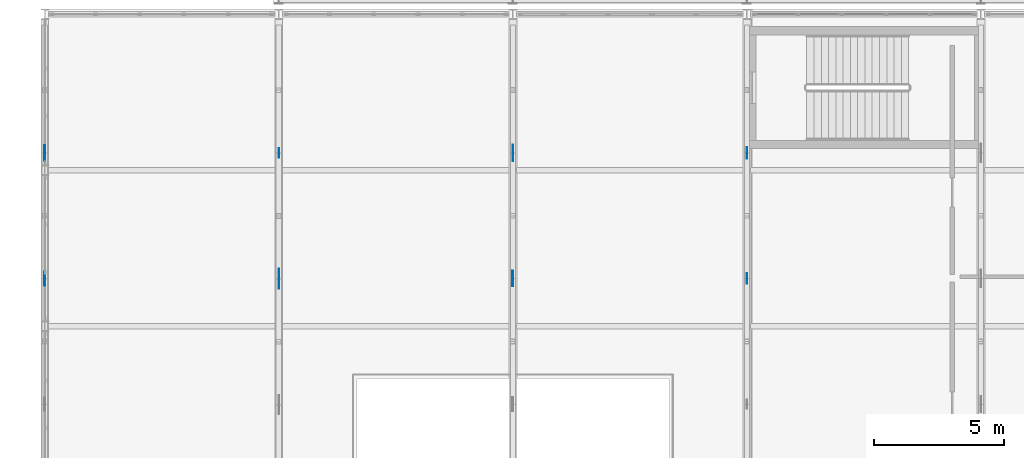
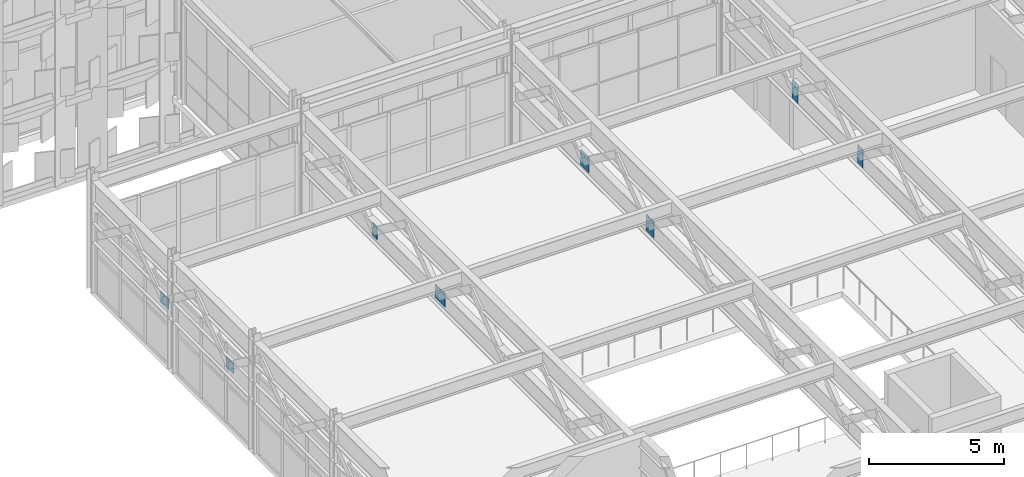
# One storey, part 151 of 210: 8 plates.
"""IFC4 building model written with IfcOpenShell, lengths in metres."""

from ifc_helpers import new_model, si_unit, direction, frame, origin, origin_2d, place, context, subcontext, project, spatial, rectangle, extrude, material, type_object, element, save


model = new_model("IFC4")

# Units and contexts
model_context = context("Model", 3, precision=1e-05, world=origin(), true_north=direction((0.0, 1.0)))
body_context = subcontext(model_context, "Body", "Model", "MODEL_VIEW")
ifc_project = project(units=[si_unit("LENGTHUNIT", "METRE"), si_unit("AREAUNIT", "SQUARE_METRE"), si_unit("VOLUMEUNIT", "CUBIC_METRE"), si_unit("PLANEANGLEUNIT", "RADIAN"), si_unit("MASSUNIT", "GRAM", prefix="KILO")], contexts=[model_context])

# Site, building, storey
site_placement = place(None, origin())
site = spatial("IfcSite", under=ifc_project, at=site_placement, CompositionType="ELEMENT")
building_placement = place(site_placement, origin())
building = spatial("IfcBuilding", under=site, at=building_placement, Name="Kaldris Quays Convention Centre", CompositionType="ELEMENT")
storey_placement = place(building_placement, frame((0.0, 0.0, 6.0)))
storey = spatial("IfcBuildingStorey", under=building, at=storey_placement, Name="L01", CompositionType="ELEMENT", Elevation=6.0)

# Plates
ifc_material = material(Name="Steel S355J2", Category="steel")
plate_type_1 = type_object("IfcPlateType", Name="GUSSET PLATE GP05", PredefinedType="USERDEFINED", material=ifc_material)
plate_1_placement = place(storey_placement, frame((20.0, 35.833251953125, 2.517578125), z_axis=(0.0, 0.0, 1.0), x_axis=(1.0, 0.0, 0.0)))
element("IfcPlate", 1, at=plate_1_placement, inside=storey, type_object=plate_type_1, Name="Transfer Truss Gusset Plate GP05 5", ObjectType="GUSSET PLATE", PredefinedType="USERDEFINED", context=body_context, shape_type="SweptSolid", body=[
    extrude(rectangle(XDim=0.02587890625, YDim=0.5400390625, at=origin_2d()), origin(), (0.0, 0.0, 1.0), 0.465087890625),
])
plate_type_2 = type_object("IfcPlateType", Name="GUSSET PLATE GP06", PredefinedType="USERDEFINED", material=ifc_material)
plate_2_placement = place(storey_placement, frame((20.0, 40.666748046875, 2.517578125), z_axis=(0.0, 0.0, 1.0), x_axis=(1.0, 0.0, 0.0)))
element("IfcPlate", 2, at=plate_2_placement, inside=storey, type_object=plate_type_2, Name="Transfer Truss Gusset Plate GP06 6", ObjectType="GUSSET PLATE", PredefinedType="USERDEFINED", context=body_context, shape_type="SweptSolid", body=[
    extrude(rectangle(XDim=0.028076171875, YDim=0.5849609375, at=origin_2d()), origin(), (0.0, 0.0, 1.0), 0.465087890625),
])
plate_type_3 = type_object("IfcPlateType", Name="GUSSET PLATE GP10", PredefinedType="USERDEFINED", material=ifc_material)
plate_3_placement = place(storey_placement, frame((29.0, 35.820068359375, 2.45263671875), z_axis=(0.0, 0.0, 1.0), x_axis=(1.0, 0.0, 0.0)))
element("IfcPlate", 3, at=plate_3_placement, inside=storey, type_object=plate_type_3, Name="Transfer Truss Gusset Plate GP10 10", ObjectType="GUSSET PLATE", PredefinedType="USERDEFINED", context=body_context, shape_type="SweptSolid", body=[
    extrude(rectangle(XDim=0.02001953125, YDim=0.764892578125, at=origin_2d()), origin(), (0.0, 0.0, 1.0), 0.594970703125),
])
plate_type_4 = type_object("IfcPlateType", Name="GUSSET PLATE GP11", PredefinedType="USERDEFINED", material=ifc_material)
plate_4_placement = place(storey_placement, frame((29.0, 40.659912109375, 2.45263671875), z_axis=(0.0, 0.0, 1.0), x_axis=(1.0, 0.0, 0.0)))
element("IfcPlate", 4, at=plate_4_placement, inside=storey, type_object=plate_type_4, Name="Transfer Truss Gusset Plate GP11 11", ObjectType="GUSSET PLATE", PredefinedType="USERDEFINED", context=body_context, shape_type="SweptSolid", body=[
    extrude(rectangle(XDim=0.02197265625, YDim=0.360107421875, at=origin_2d()), origin(), (0.0, 0.0, 1.0), 0.594970703125),
])
plate_type_5 = type_object("IfcPlateType", Name="GUSSET PLATE GP16", PredefinedType="USERDEFINED", material=ifc_material)
plate_5_placement = place(storey_placement, frame((38.0, 35.833251953125, 2.387451171875), z_axis=(0.0, 0.0, 1.0), x_axis=(1.0, 0.0, 0.0)))
element("IfcPlate", 5, at=plate_5_placement, inside=storey, type_object=plate_type_5, Name="Transfer Truss Gusset Plate GP16 16", ObjectType="GUSSET PLATE", PredefinedType="USERDEFINED", context=body_context, shape_type="SweptSolid", body=[
    extrude(rectangle(XDim=0.031982421875, YDim=0.5849609375, at=origin_2d()), origin(), (0.0, 0.0, 1.0), 0.72509765625),
])
plate_type_6 = type_object("IfcPlateType", Name="GUSSET PLATE GP17", PredefinedType="USERDEFINED", material=ifc_material)
plate_6_placement = place(storey_placement, frame((38.0, 40.666748046875, 2.387451171875), z_axis=(0.0, 0.0, 1.0), x_axis=(1.0, 0.0, 0.0)))
element("IfcPlate", 6, at=plate_6_placement, inside=storey, type_object=plate_type_6, Name="Transfer Truss Gusset Plate GP17 17", ObjectType="GUSSET PLATE", PredefinedType="USERDEFINED", context=body_context, shape_type="SweptSolid", body=[
    extrude(rectangle(XDim=0.01806640625, YDim=0.6298828125, at=origin_2d()), origin(), (0.0, 0.0, 1.0), 0.72509765625),
])
plate_type_7 = type_object("IfcPlateType", Name="GUSSET PLATE GP22", PredefinedType="USERDEFINED", material=ifc_material)
plate_7_placement = place(storey_placement, frame((47.0, 35.833251953125, 2.322509765625), z_axis=(0.0, 0.0, 1.0), x_axis=(1.0, 0.0, 0.0)))
element("IfcPlate", 7, at=plate_7_placement, inside=storey, type_object=plate_type_7, Name="Transfer Truss Gusset Plate GP22 22", ObjectType="GUSSET PLATE", PredefinedType="USERDEFINED", context=body_context, shape_type="SweptSolid", body=[
    extrude(rectangle(XDim=0.028076171875, YDim=0.405029296875, at=origin_2d()), origin(), (0.0, 0.0, 1.0), 0.85498046875),
])
plate_type_8 = type_object("IfcPlateType", Name="GUSSET PLATE GP23", PredefinedType="USERDEFINED", material=ifc_material)
plate_8_placement = place(storey_placement, frame((47.0, 40.666748046875, 2.322509765625), z_axis=(0.0, 0.0, 1.0), x_axis=(1.0, 0.0, 0.0)))
element("IfcPlate", 8, at=plate_8_placement, inside=storey, type_object=plate_type_8, Name="Transfer Truss Gusset Plate GP23 23", ObjectType="GUSSET PLATE", PredefinedType="USERDEFINED", context=body_context, shape_type="SweptSolid", body=[
    extrude(rectangle(XDim=0.030029296875, YDim=0.449951171875, at=origin_2d()), origin(), (0.0, 0.0, 1.0), 0.85498046875),
])

save(model, "model.ifc")
